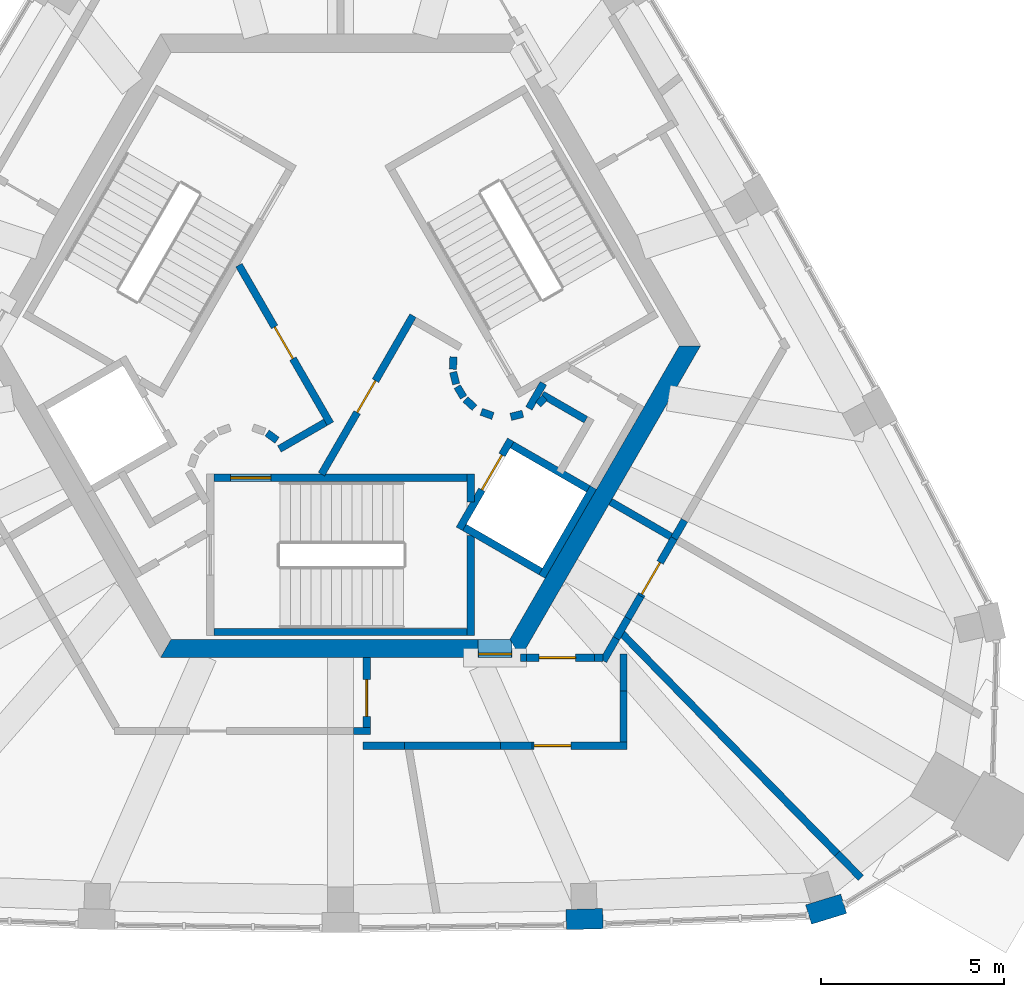
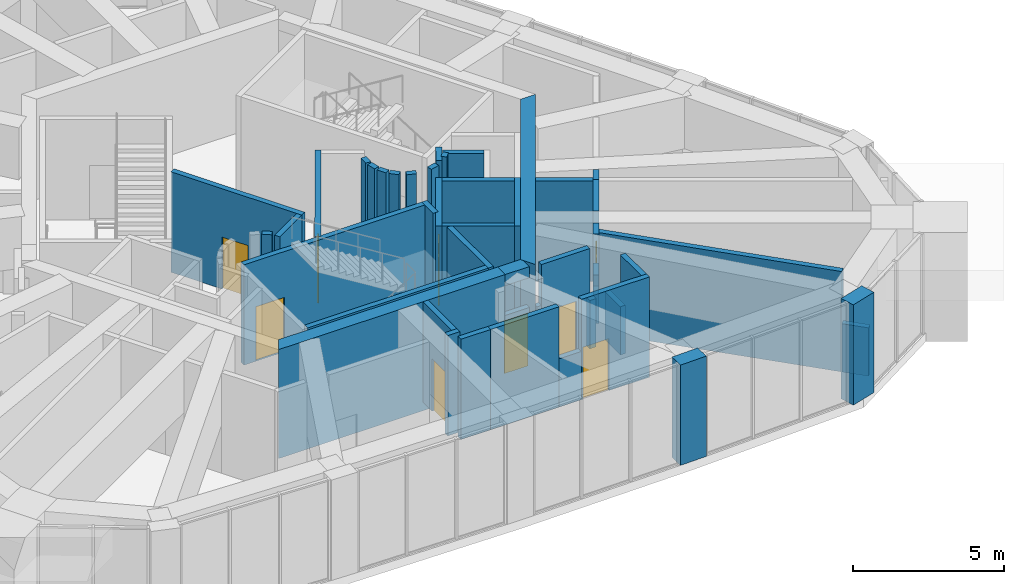
# One storey, part 8 of 11: 46 walls, 9 doors, 9 openings.
"""IFC4 building model written with IfcOpenShell, lengths in metres."""

from ifc_helpers import new_model, si_unit, direction, frame, frame_2d, origin, place, context, subcontext, project, spatial, polyline, rectangle, outline, extrude, material, layer, layer_set, type_object, element, fill, save


model = new_model("IFC4")

# Units and contexts
model_context = context("Model", 3, precision=1e-05, world=origin(), true_north=direction((0.0, 1.0)))
body_context = subcontext(model_context, "Body", "Model", "MODEL_VIEW")
ifc_project = project(units=[si_unit("LENGTHUNIT", "METRE"), si_unit("AREAUNIT", "SQUARE_METRE"), si_unit("VOLUMEUNIT", "CUBIC_METRE"), si_unit("PLANEANGLEUNIT", "RADIAN"), si_unit("MASSUNIT", "GRAM", prefix="KILO")], contexts=[model_context])

# Site, building, storey
site_placement = place(None, origin())
site = spatial("IfcSite", under=ifc_project, at=site_placement, CompositionType="ELEMENT")
building_placement = place(site_placement, origin())
building = spatial("IfcBuilding", under=site, at=building_placement, Name="Entoto Arch Interchange Tower", CompositionType="ELEMENT")
storey_placement = place(building_placement, frame((0.0, 0.0, 353.89990234375)))
storey = spatial("IfcBuildingStorey", under=building, at=storey_placement, Name="L83", CompositionType="ELEMENT", Elevation=353.89990234375)

# Wall, opening, door
ifc_material_1 = material(Name="Reinforced concrete C40/50", Category="concrete")
ifc_layer_1 = layer(ifc_material_1, 0.199951171875)
ifc_layer_set_1 = layer_set([ifc_layer_1], Name="Reinforced concrete C40/50")
wall_type_1 = type_object("IfcWallType", Name="CORE GAP INFILL WALL", PredefinedType="PARTITIONING", material=ifc_layer_set_1)
wall_1_placement = place(storey_placement, frame((3.75, -5.89990234375, 0.0), z_axis=(0.0, 0.0, 1.0), x_axis=(1.0, 0.0, 0.0)))
wall_1 = element("IfcWall", 1, at=wall_1_placement, inside=storey, type_object=wall_type_1, Name="wall:L83:gap1", PredefinedType="PARTITIONING", context=body_context, shape_type="SweptSolid", body=[
    extrude(rectangle(XDim=0.926025390625, YDim=0.199951171875, at=frame_2d((0.462890625, 0.0))), origin(), (0.0, 0.0, 1.0), 2.400146484375),
])
opening_1_placement = place(wall_1_placement, frame((0.01708984375, 0.0, 0.0)))
opening_1 = element("IfcOpeningElement", 2, at=opening_1_placement, cuts=wall_1, Name="Opening L83-D91", PredefinedType="OPENING", context=body_context, shape_type="SweptSolid", body=[
    extrude(rectangle(XDim=0.89990234375, YDim=2.10009765625, at=frame_2d((0.449951171875, 1.050048828125))), frame((0.0, 0.10986328125, 0.0), z_axis=(0.0, -1.0, 0.0), x_axis=(1.0, 0.0, 0.0)), (0.0, 0.0, 1.0), 0.219970703125),
])
ifc_material_2 = material(Name="Fire-rated Steel S235 door and frame", Category="steel")
door_type_1 = type_object("IfcDoorType", Name="DOOR FD-09 900x2100", OperationType="SINGLE_SWING_LEFT", PredefinedType="DOOR", material=ifc_material_2)
door_1_placement = place(opening_1_placement, origin())
door_1 = element("IfcDoor", 3, at=door_1_placement, inside=storey, type_object=door_type_1, Name="door:L83:gap1", OperationType="SINGLE_SWING_LEFT", OverallHeight=2.10009765625, OverallWidth=0.89990234375, PredefinedType="DOOR", context=body_context, shape_type="SweptSolid", body=[
    extrude(rectangle(XDim=0.89990234375, YDim=2.10009765625, at=frame_2d((0.449951171875, 1.050048828125))), frame((0.0, 0.02490234375, 0.0), z_axis=(0.0, -1.0, 0.0), x_axis=(1.0, 0.0, 0.0)), (0.0, 0.0, 1.0), 0.050048828125),
])
fill(opening_1, door_1)

# Walls
ifc_material_3 = material(Name="Concrete C40/50", Category="concrete")
ifc_layer_2 = layer(ifc_material_3, 0.5)
ifc_layer_set_2 = layer_set([ifc_layer_2], Name="Concrete C40/50")
wall_type_2 = type_object("IfcWallType", Name="Core wall 500 C40/50", PredefinedType="SHEAR", material=ifc_layer_set_2)
wall_2_placement = place(storey_placement, frame((0.0, 0.0, -0.349853515625)))
element("IfcWall", 4, at=wall_2_placement, inside=storey, type_object=wall_type_2, Name="Core wall S L83", PredefinedType="SHEAR", context=body_context, shape_type="SweptSolid", body=[
    extrude(outline(polyline([(3.75, -6.0), (3.75, -5.5), (-4.618896484375, -5.5), (-4.906982421875, -6.0), (3.75, -6.0)])), origin(), (0.0, 0.0, 1.0), 4.39990234375),
])
wall_3_placement = place(storey_placement, frame((0.0, 0.0, 3.60009765625)))
element("IfcWall", 5, at=wall_3_placement, inside=storey, type_object=wall_type_2, Name="Core wall lintel S L83", PredefinedType="SHEAR", context=body_context, shape_type="SweptSolid", body=[
    extrude(outline(polyline([(4.676025390625, -6.0), (4.676025390625, -5.60009765625), (4.618896484375, -5.5), (3.75, -5.5), (3.75, -6.0), (4.676025390625, -6.0)])), origin(), (0.0, 0.0, 1.0), 0.449951171875),
])
wall_4_placement = place(storey_placement, frame((0.0, 0.0, -0.349853515625)))
element("IfcWall", 6, at=wall_4_placement, inside=storey, type_object=wall_type_2, Name="Core wall SE L83", PredefinedType="SHEAR", context=body_context, shape_type="SweptSolid", body=[
    extrude(outline(polyline([(4.906982421875, -6.0), (9.81494140625, 2.5), (9.238037109375, 2.5), (4.618896484375, -5.5), (4.906982421875, -6.0)])), origin(), (0.0, 0.0, 1.0), 4.39990234375),
])

# Wall, opening, door
ifc_layer_3 = layer(ifc_material_3, 0.199951171875)
ifc_layer_set_3 = layer_set([ifc_layer_3], Name="Concrete C40/50")
wall_type_3 = type_object("IfcWallType", Name="LIFT SHAFT WALL 200", PredefinedType="STANDARD", material=ifc_layer_set_3)
wall_5_placement = place(storey_placement, frame((3.239990234375, -2.488037109375, 0.0), z_axis=(0.0, 0.0, 1.0), x_axis=(0.49994636267, 0.866056369097, 0.0)))
wall_5 = element("IfcWall", 7, at=wall_5_placement, inside=storey, type_object=wall_type_3, Name="Shaft wall SE1 front", PredefinedType="STANDARD", context=body_context, shape_type="SweptSolid", body=[
    extrude(rectangle(XDim=2.800048828125, YDim=0.199951171875, at=frame_2d((1.39990234375, 0.0))), origin(), (0.0, 0.0, 1.0), 4.050048828125),
])
opening_2_placement = place(wall_5_placement, frame((1.22509765625, 0.0, 0.0)))
opening_2 = element("IfcOpeningElement", 8, at=opening_2_placement, cuts=wall_5, Name="Opening LD-FF1-L83", PredefinedType="OPENING", context=body_context, shape_type="SweptSolid", body=[
    extrude(rectangle(XDim=1.10009765625, YDim=2.10009765625, at=frame_2d((0.550048828125, 1.050048828125))), frame((0.0, 0.10986328125, 0.0), z_axis=(0.0, -1.0, 0.0), x_axis=(1.0, 0.0, 0.0)), (0.0, 0.0, 1.0), 0.219970703125),
])
ifc_material_4 = material(Name="Stainless steel 1.4301 panels", Category="steel")
door_type_2 = type_object("IfcDoorType", Name="LIFT LANDING DOOR LD1 1100x2100", OperationType="SLIDING_TO_LEFT", PredefinedType="DOOR", material=ifc_material_4)
door_2_placement = place(opening_2_placement, origin())
door_2 = element("IfcDoor", 9, at=door_2_placement, inside=storey, type_object=door_type_2, Name="Lift landing door FF1 L83", OperationType="SLIDING_TO_LEFT", OverallHeight=2.10009765625, OverallWidth=1.10009765625, PredefinedType="DOOR", context=body_context, shape_type="SweptSolid", body=[
    extrude(rectangle(XDim=1.10009765625, YDim=2.10009765625, at=frame_2d((0.550048828125, 1.050048828125))), frame((0.0, 0.02490234375, 0.0), z_axis=(0.0, -1.0, 0.0), x_axis=(1.0, 0.0, 0.0)), (0.0, 0.0, 1.0), 0.050048828125),
])
fill(opening_2, door_2)

# Walls
wall_6_placement = place(storey_placement, frame((5.491943359375, -3.7880859375, 0.0), z_axis=(0.0, 0.0, 1.0), x_axis=(0.500011755427, 0.866018616679, 0.0)))
element("IfcWall", 10, at=wall_6_placement, inside=storey, type_object=wall_type_3, Name="Shaft wall SE1 back", PredefinedType="STANDARD", context=body_context, shape_type="SweptSolid", body=[
    extrude(rectangle(XDim=2.80029296875, YDim=0.199951171875, at=frame_2d((1.400146484375, 0.0))), origin(), (0.0, 0.0, 1.0), 4.050048828125),
])
wall_7_placement = place(storey_placement, frame((3.376953125, -2.451904296875, 0.0), z_axis=(0.0, 0.0, 1.0), x_axis=(0.865955154139, -0.50012165622, 0.0)))
element("IfcWall", 11, at=wall_7_placement, inside=storey, type_object=wall_type_3, Name="Shaft wall SE1 cross 1", PredefinedType="STANDARD", context=body_context, shape_type="SweptSolid", body=[
    extrude(rectangle(XDim=2.39990234375, YDim=0.199951171875, at=frame_2d((1.199951171875, 0.0))), origin(), (0.0, 0.0, 1.0), 4.050048828125),
])
wall_8_placement = place(storey_placement, frame((4.677001953125, -0.199951171875, 0.0), z_axis=(0.0, 0.0, 1.0), x_axis=(0.865973769406, -0.500089422704, 0.0)))
element("IfcWall", 12, at=wall_8_placement, inside=storey, type_object=wall_type_3, Name="Shaft wall SE1 cross 2", PredefinedType="STANDARD", context=body_context, shape_type="SweptSolid", body=[
    extrude(rectangle(XDim=2.3994140625, YDim=0.199951171875, at=frame_2d((1.19970703125, 0.0))), origin(), (0.0, 0.0, 1.0), 4.050048828125),
])
ifc_material_5 = material(Name="Gypsum board partition on steel studs", Category="steel")
ifc_layer_4 = layer(ifc_material_5, 0.199951171875)
ifc_layer_set_4 = layer_set([ifc_layer_4], Name="Gypsum board partition on steel studs")
wall_type_4 = type_object("IfcWallType", Name="PARTITION 200", PredefinedType="PARTITIONING", material=ifc_layer_set_4)
wall_9_placement = place(storey_placement, frame((5.389892578125, 0.89794921875, 0.0), z_axis=(0.0, 0.0, 1.0), x_axis=(0.673828488714, 0.738887791073, 0.0)))
element("IfcWall", 13, at=wall_9_placement, inside=storey, type_object=wall_type_4, Name="wall:L83:p001", PredefinedType="PARTITIONING", context=body_context, shape_type="SweptSolid", body=[
    extrude(rectangle(XDim=0.2626953125, YDim=0.199951171875, at=frame_2d((0.13134765625, 0.0))), origin(), (0.0, 0.0, 1.0), 4.050048828125),
])
wall_10_placement = place(storey_placement, frame((5.4990234375, 1.172119140625, 0.0), z_axis=(0.0, 0.0, 1.0), x_axis=(0.866333505267, -0.499465972466, 0.0)))
element("IfcWall", 14, at=wall_10_placement, inside=storey, type_object=wall_type_4, Name="wall:L83:p002", PredefinedType="PARTITIONING", context=body_context, shape_type="SweptSolid", body=[
    extrude(rectangle(XDim=1.37353515625, YDim=0.199951171875, at=frame_2d((0.686767578125, 0.0))), origin(), (0.0, 0.0, 1.0), 4.050048828125),
])
wall_11_placement = place(storey_placement, frame((5.135009765625, 0.79296875, 0.0), z_axis=(0.0, 0.0, 1.0), x_axis=(0.499526442893, 0.866298639529, 0.0)))
element("IfcWall", 15, at=wall_11_placement, inside=storey, type_object=wall_type_4, Name="wall:L83:p005", PredefinedType="PARTITIONING", context=body_context, shape_type="SweptSolid", body=[
    extrude(rectangle(XDim=0.790771484375, YDim=0.199951171875, at=frame_2d((0.3955078125, 0.0))), origin(), (0.0, 0.0, 1.0), 4.050048828125),
])
wall_12_placement = place(storey_placement, frame((3.0791015625, 2.198974609375, 0.0), z_axis=(0.0, 0.0, 1.0), x_axis=(-0.047771483479, -0.998858290933, 0.0)))
element("IfcWall", 16, at=wall_12_placement, inside=storey, type_object=wall_type_4, Name="wall:L83:p012", PredefinedType="PARTITIONING", context=body_context, shape_type="SweptSolid", body=[
    extrude(rectangle(XDim=0.33740234375, YDim=0.199951171875, at=frame_2d((0.168701171875, 0.0))), origin(), (0.0, 0.0, 1.0), 4.050048828125),
])
wall_13_placement = place(storey_placement, frame((3.070068359375, 1.785888671875, 0.0), z_axis=(0.0, 0.0, 1.0), x_axis=(0.242705583207, -0.970099994784, 0.0)))
element("IfcWall", 17, at=wall_13_placement, inside=storey, type_object=wall_type_4, Name="wall:L83:p013", PredefinedType="PARTITIONING", context=body_context, shape_type="SweptSolid", body=[
    extrude(rectangle(XDim=0.337890625, YDim=0.199951171875, at=frame_2d((0.1689453125, 0.0))), origin(), (0.0, 0.0, 1.0), 4.050048828125),
])
for number, where, z_axis, x_axis, name in (
    (18, (3.181884765625, 1.387939453125, 0.0), (0.0, 0.0, 1.0), (0.512474702713, -0.85870232274, 0.0), "wall:L83:p014"),
    (19, (3.404052734375, 1.0390625, 0.0), (0.0, 0.0, 1.0), (0.740267097712, -0.672312891476, 0.0), "wall:L83:p015"),
):
    element("IfcWall", number, at=place(storey_placement, frame(where, z_axis=z_axis, x_axis=x_axis)), inside=storey, type_object=wall_type_4, Name=name, PredefinedType="PARTITIONING", context=body_context, shape_type="SweptSolid", body=[
        extrude(rectangle(XDim=0.337646484375, YDim=0.199951171875, at=frame_2d((0.1689453125, 0.0))), origin(), (0.0, 0.0, 1.0), 4.050048828125),
    ])
wall_14_placement = place(storey_placement, frame((3.837890625, 0.701904296875, 0.0), z_axis=(0.0, 0.0, 1.0), x_axis=(0.941035081519, -0.338308993895, 0.0)))
element("IfcWall", 20, at=wall_14_placement, inside=storey, type_object=wall_type_4, Name="wall:L83:p016", PredefinedType="PARTITIONING", context=body_context, shape_type="SweptSolid", body=[
    extrude(rectangle(XDim=0.3369140625, YDim=0.199951171875, at=frame_2d((0.16845703125, 0.0))), origin(), (0.0, 0.0, 1.0), 4.050048828125),
])
wall_15_placement = place(storey_placement, frame((4.64404296875, 0.56396484375, 0.0), z_axis=(0.0, 0.0, 1.0), x_axis=(0.969929076366, 0.243387729394, 0.0)))
element("IfcWall", 21, at=wall_15_placement, inside=storey, type_object=wall_type_4, Name="wall:L83:p017", PredefinedType="PARTITIONING", context=body_context, shape_type="SweptSolid", body=[
    extrude(rectangle(XDim=0.337158203125, YDim=0.199951171875, at=frame_2d((0.16845703125, 0.0))), origin(), (0.0, 0.0, 1.0), 4.050048828125),
])

# Wall, opening, door
wall_16_placement = place(storey_placement, frame((-0.52001953125, -1.0, 0.0), z_axis=(0.0, 0.0, 1.0), x_axis=(0.50011622646, 0.865958290007, 0.0)))
wall_16 = element("IfcWall", 22, at=wall_16_placement, inside=storey, type_object=wall_type_4, Name="wall:L83:p018", PredefinedType="PARTITIONING", context=body_context, shape_type="SweptSolid", body=[
    extrude(rectangle(XDim=4.990966796875, YDim=0.199951171875, at=frame_2d((2.49560546875, 0.0))), origin(), (0.0, 0.0, 1.0), 4.050048828125),
])
opening_3_placement = place(wall_16_placement, frame((1.945068359375, 0.0, 0.0)))
opening_3 = element("IfcOpeningElement", 23, at=opening_3_placement, cuts=wall_16, Name="Opening L83-D16", PredefinedType="OPENING", context=body_context, shape_type="SweptSolid", body=[
    extrude(rectangle(XDim=1.0, YDim=2.10009765625, at=frame_2d((0.5, 1.050048828125))), frame((0.0, 0.10986328125, 0.0), z_axis=(0.0, -1.0, 0.0), x_axis=(1.0, 0.0, 0.0)), (0.0, 0.0, 1.0), 0.219970703125),
])
door_type_3 = type_object("IfcDoorType", Name="DOOR FD-10 1000x2100", OperationType="SINGLE_SWING_LEFT", PredefinedType="DOOR", material=ifc_material_2)
door_3_placement = place(opening_3_placement, origin())
door_3 = element("IfcDoor", 24, at=door_3_placement, inside=storey, type_object=door_type_3, Name="door:L83:16", OperationType="SINGLE_SWING_LEFT", OverallHeight=2.10009765625, OverallWidth=1.0, PredefinedType="DOOR", context=body_context, shape_type="SweptSolid", body=[
    extrude(rectangle(XDim=1.0, YDim=2.10009765625, at=frame_2d((0.5, 1.050048828125))), frame((0.0, 0.02490234375, 0.0), z_axis=(0.0, -1.0, 0.0), x_axis=(1.0, 0.0, 0.0)), (0.0, 0.0, 1.0), 0.050048828125),
])
fill(opening_3, door_3)

# Walls
wall_17_placement = place(storey_placement, frame((-0.412109375, 0.4140625, 0.0), z_axis=(0.0, 0.0, 1.0), x_axis=(-0.866017369001, -0.500013916395, 0.0)))
element("IfcWall", 25, at=wall_17_placement, inside=storey, type_object=wall_type_4, Name="wall:L83:p020", PredefinedType="PARTITIONING", context=body_context, shape_type="SweptSolid", body=[
    extrude(rectangle(XDim=1.4501953125, YDim=0.199951171875, at=frame_2d((0.72509765625, 0.0))), origin(), (0.0, 0.0, 1.0), 4.050048828125),
])
wall_18_placement = place(storey_placement, frame((-1.73095703125, -0.076904296875, 0.0), z_axis=(0.0, 0.0, 1.0), x_axis=(-0.804311165252, 0.594208338422, 0.0)))
element("IfcWall", 26, at=wall_18_placement, inside=storey, type_object=wall_type_4, Name="wall:L83:p021", PredefinedType="PARTITIONING", context=body_context, shape_type="SweptSolid", body=[
    extrude(rectangle(XDim=0.338134765625, YDim=0.199951171875, at=frame_2d((0.1689453125, 0.0))), origin(), (0.0, 0.0, 1.0), 4.050048828125),
])

# Wall, opening, door
wall_19_placement = place(storey_placement, frame((-2.77099609375, 4.699951171875, 0.0), z_axis=(0.0, 0.0, 1.0), x_axis=(0.499969479948, -0.866043023828, 0.0)))
wall_19 = element("IfcWall", 27, at=wall_19_placement, inside=storey, type_object=wall_type_4, Name="wall:L83:p027", PredefinedType="PARTITIONING", context=body_context, shape_type="SweptSolid", body=[
    extrude(rectangle(XDim=4.990478515625, YDim=0.199951171875, at=frame_2d((2.4951171875, 0.0))), origin(), (0.0, 0.0, 1.0), 4.050048828125),
])
opening_4_placement = place(wall_19_placement, frame((1.945068359375, 0.0, 0.0)))
opening_4 = element("IfcOpeningElement", 28, at=opening_4_placement, cuts=wall_19, Name="Opening L83-D17", PredefinedType="OPENING", context=body_context, shape_type="SweptSolid", body=[
    extrude(rectangle(XDim=1.0, YDim=2.10009765625, at=frame_2d((0.5, 1.050048828125))), frame((0.0, 0.10986328125, 0.0), z_axis=(0.0, -1.0, 0.0), x_axis=(1.0, 0.0, 0.0)), (0.0, 0.0, 1.0), 0.219970703125),
])
door_4_placement = place(opening_4_placement, origin())
door_4 = element("IfcDoor", 29, at=door_4_placement, inside=storey, type_object=door_type_3, Name="door:L83:17", OperationType="SINGLE_SWING_RIGHT", OverallHeight=2.10009765625, OverallWidth=1.0, PredefinedType="DOOR", context=body_context, shape_type="SweptSolid", body=[
    extrude(rectangle(XDim=1.0, YDim=2.10009765625, at=frame_2d((0.5, 1.050048828125))), frame((0.0, 0.02490234375, 0.0), z_axis=(0.0, -1.0, 0.0), x_axis=(1.0, 0.0, 0.0)), (0.0, 0.0, 1.0), 0.050048828125),
])
fill(opening_4, door_4)

wall_20_placement = place(storey_placement, frame((0.712890625, -7.89990234375, 0.0), z_axis=(0.0, 0.0, 1.0), x_axis=(0.0, 1.0, 0.0)))
wall_20 = element("IfcWall", 30, at=wall_20_placement, inside=storey, type_object=wall_type_4, Name="wall:L83:p028", PredefinedType="PARTITIONING", context=body_context, shape_type="SweptSolid", body=[
    extrude(rectangle(XDim=1.89990234375, YDim=0.199951171875, at=frame_2d((0.949951171875, 0.0))), origin(), (0.0, 0.0, 1.0), 4.050048828125),
])
opening_5_placement = place(wall_20_placement, frame((0.300048828125, 0.0, 0.0)))
opening_5 = element("IfcOpeningElement", 31, at=opening_5_placement, cuts=wall_20, Name="Opening L83-D01", PredefinedType="OPENING", context=body_context, shape_type="SweptSolid", body=[
    extrude(rectangle(XDim=1.0, YDim=2.10009765625, at=frame_2d((0.5, 1.050048828125))), frame((0.0, 0.10986328125, 0.0), z_axis=(0.0, -1.0, 0.0), x_axis=(1.0, 0.0, 0.0)), (0.0, 0.0, 1.0), 0.219970703125),
])
door_5_placement = place(opening_5_placement, origin())
door_5 = element("IfcDoor", 32, at=door_5_placement, inside=storey, type_object=door_type_3, Name="door:L83:01", OperationType="SINGLE_SWING_LEFT", OverallHeight=2.10009765625, OverallWidth=1.0, PredefinedType="DOOR", context=body_context, shape_type="SweptSolid", body=[
    extrude(rectangle(XDim=1.0, YDim=2.10009765625, at=frame_2d((0.5, 1.050048828125))), frame((0.0, 0.02490234375, 0.0), z_axis=(0.0, -1.0, 0.0), x_axis=(1.0, 0.0, 0.0)), (0.0, 0.0, 1.0), 0.050048828125),
])
fill(opening_5, door_5)

# Wall
wall_21_placement = place(storey_placement, frame((4.906982421875, -6.0, 0.0), z_axis=(0.0, 0.0, 1.0), x_axis=(1.0, 0.0, 0.0)))
element("IfcWall", 33, at=wall_21_placement, inside=storey, type_object=wall_type_4, Name="wall:L83:p029", PredefinedType="PARTITIONING", context=body_context, shape_type="SweptSolid", body=[
    extrude(rectangle(XDim=0.1689453125, YDim=0.199951171875, at=frame_2d((0.08447265625, 0.0))), origin(), (0.0, 0.0, 1.0), 2.400146484375),
])

# Wall, opening, door
wall_22_placement = place(storey_placement, frame((7.81298828125, -8.39990234375, 0.0), z_axis=(0.0, 0.0, 1.0), x_axis=(-1.0, 0.0, 0.0)))
wall_22 = element("IfcWall", 34, at=wall_22_placement, inside=storey, type_object=wall_type_4, Name="wall:L83:p030", PredefinedType="PARTITIONING", context=body_context, shape_type="SweptSolid", body=[
    extrude(rectangle(XDim=2.597900390625, YDim=0.199951171875, at=frame_2d((1.298828125, 0.0))), origin(), (0.0, 0.0, 1.0), 4.050048828125),
])
opening_6_placement = place(wall_22_placement, frame((1.535888671875, 0.0, 0.0)))
opening_6 = element("IfcOpeningElement", 35, at=opening_6_placement, cuts=wall_22, Name="Opening L83-D03", PredefinedType="OPENING", context=body_context, shape_type="SweptSolid", body=[
    extrude(rectangle(XDim=1.0, YDim=2.10009765625, at=frame_2d((0.5, 1.050048828125))), frame((0.0, 0.10986328125, 0.0), z_axis=(0.0, -1.0, 0.0), x_axis=(1.0, 0.0, 0.0)), (0.0, 0.0, 1.0), 0.219970703125),
])
door_6_placement = place(opening_6_placement, origin())
door_6 = element("IfcDoor", 36, at=door_6_placement, inside=storey, type_object=door_type_3, Name="door:L83:03", OperationType="SINGLE_SWING_LEFT", OverallHeight=2.10009765625, OverallWidth=1.0, PredefinedType="DOOR", context=body_context, shape_type="SweptSolid", body=[
    extrude(rectangle(XDim=1.0, YDim=2.10009765625, at=frame_2d((0.5, 1.050048828125))), frame((0.0, 0.02490234375, 0.0), z_axis=(0.0, -1.0, 0.0), x_axis=(1.0, 0.0, 0.0)), (0.0, 0.0, 1.0), 0.050048828125),
])
fill(opening_6, door_6)

# Walls
wall_23_placement = place(storey_placement, frame((7.712890625, -5.89990234375, 0.0), z_axis=(0.0, 0.0, 1.0), x_axis=(0.0, -1.0, 0.0)))
element("IfcWall", 37, at=wall_23_placement, inside=storey, type_object=wall_type_4, Name="wall:L83:p031", PredefinedType="PARTITIONING", context=body_context, shape_type="SweptSolid", body=[
    extrude(rectangle(XDim=1.01708984375, YDim=0.199951171875, at=frame_2d((0.508544921875, 0.0))), origin(), (0.0, 0.0, 1.0), 1.9501953125),
])
wall_24_placement = place(storey_placement, frame((1.7470703125, -8.39990234375, 0.0), z_axis=(0.0, 0.0, 1.0), x_axis=(-1.0, 0.0, 0.0)))
element("IfcWall", 38, at=wall_24_placement, inside=storey, type_object=wall_type_4, Name="wall:L83:p032", PredefinedType="PARTITIONING", context=body_context, shape_type="SweptSolid", body=[
    extrude(rectangle(XDim=1.134033203125, YDim=0.199951171875, at=frame_2d((0.56689453125, 0.0))), origin(), (0.0, 0.0, 1.0), 4.050048828125),
])
wall_25_placement = place(storey_placement, frame((0.81298828125, -8.0, 0.0), z_axis=(0.0, 0.0, 1.0), x_axis=(-1.0, 0.0, 0.0)))
element("IfcWall", 39, at=wall_25_placement, inside=storey, type_object=wall_type_4, Name="wall:L83:p033", PredefinedType="PARTITIONING", context=body_context, shape_type="SweptSolid", body=[
    extrude(rectangle(XDim=0.462890625, YDim=0.199951171875, at=frame_2d((0.2314453125, 0.0))), origin(), (0.0, 0.0, 1.0), 4.050048828125),
])

# Wall, opening, door
wall_26_placement = place(storey_placement, frame((9.093017578125, -2.75, 0.0), z_axis=(0.0, 0.0, 1.0), x_axis=(-0.500145398563, -0.865941441609, 0.0)))
wall_26 = element("IfcWall", 40, at=wall_26_placement, inside=storey, type_object=wall_type_4, Name="wall:L83:p036", PredefinedType="PARTITIONING", context=body_context, shape_type="SweptSolid", body=[
    extrude(rectangle(XDim=1.8154296875, YDim=0.199951171875, at=frame_2d((0.90771484375, 0.0))), origin(), (0.0, 0.0, 1.0), 4.050048828125),
])
opening_7_placement = place(wall_26_placement, frame((0.759033203125, 0.0, 0.0)))
opening_7 = element("IfcOpeningElement", 41, at=opening_7_placement, cuts=wall_26, Name="Opening L83-D05", PredefinedType="OPENING", context=body_context, shape_type="SweptSolid", body=[
    extrude(rectangle(XDim=1.0, YDim=2.10009765625, at=frame_2d((0.5, 1.050048828125))), frame((0.0, 0.10986328125, 0.0), z_axis=(0.0, -1.0, 0.0), x_axis=(1.0, 0.0, 0.0)), (0.0, 0.0, 1.0), 0.219970703125),
])
door_7_placement = place(opening_7_placement, origin())
door_7 = element("IfcDoor", 42, at=door_7_placement, inside=storey, type_object=door_type_3, Name="door:L83:05", OperationType="SINGLE_SWING_LEFT", OverallHeight=2.10009765625, OverallWidth=1.0, PredefinedType="DOOR", context=body_context, shape_type="SweptSolid", body=[
    extrude(rectangle(XDim=1.0, YDim=2.10009765625, at=frame_2d((0.5, 1.050048828125))), frame((0.0, 0.02490234375, 0.0), z_axis=(0.0, -1.0, 0.0), x_axis=(1.0, 0.0, 0.0)), (0.0, 0.0, 1.0), 0.050048828125),
])
fill(opening_7, door_7)

# Walls
wall_27_placement = place(storey_placement, frame((7.361083984375, -1.75, 0.0), z_axis=(0.0, 0.0, 1.0), x_axis=(0.865980106173, -0.500078449558, 0.0)))
element("IfcWall", 43, at=wall_27_placement, inside=storey, type_object=wall_type_4, Name="wall:L83:p037", PredefinedType="PARTITIONING", context=body_context, shape_type="SweptSolid", body=[
    extrude(rectangle(XDim=1.899658203125, YDim=0.199951171875, at=frame_2d((0.94970703125, 0.0))), origin(), (0.0, 0.0, 1.0), 4.050048828125),
])
wall_28_placement = place(storey_placement, frame((7.6240234375, -5.294921875, 0.0), z_axis=(0.0, 0.0, 1.0), x_axis=(0.699204125851, -0.714922086938, 0.0)))
element("IfcWall", 44, at=wall_28_placement, inside=storey, type_object=wall_type_4, Name="wall:L83:p039", PredefinedType="PARTITIONING", context=body_context, shape_type="SweptSolid", body=[
    extrude(rectangle(XDim=8.46533203125, YDim=0.199951171875, at=frame_2d((4.232666015625, 0.0))), origin(), (0.0, 0.0, 1.0), 4.050048828125),
])

# Wall, opening, door
wall_29_placement = place(storey_placement, frame((5.075927734375, -6.0, 0.0), z_axis=(0.0, 0.0, 1.0), x_axis=(1.0, 0.0, 0.0)))
wall_29 = element("IfcWall", 45, at=wall_29_placement, inside=storey, type_object=wall_type_4, Name="wall:L83:p029", PredefinedType="PARTITIONING", context=body_context, shape_type="SweptSolid", body=[
    extrude(rectangle(XDim=1.843017578125, YDim=0.199951171875, at=frame_2d((0.92138671875, 0.0))), origin(), (0.0, 0.0, 1.0), 4.050048828125),
])
opening_8_placement = place(wall_29_placement, frame((0.3359375, 0.0, 0.0)))
opening_8 = element("IfcOpeningElement", 46, at=opening_8_placement, cuts=wall_29, Name="Opening L83-D02", PredefinedType="OPENING", context=body_context, shape_type="SweptSolid", body=[
    extrude(rectangle(XDim=1.0, YDim=2.10009765625, at=frame_2d((0.5, 1.050048828125))), frame((0.0, 0.10986328125, 0.0), z_axis=(0.0, -1.0, 0.0), x_axis=(1.0, 0.0, 0.0)), (0.0, 0.0, 1.0), 0.219970703125),
])
door_8_placement = place(opening_8_placement, origin())
door_8 = element("IfcDoor", 47, at=door_8_placement, inside=storey, type_object=door_type_3, Name="door:L83:02", OperationType="SINGLE_SWING_RIGHT", OverallHeight=2.10009765625, OverallWidth=1.0, PredefinedType="DOOR", context=body_context, shape_type="SweptSolid", body=[
    extrude(rectangle(XDim=1.0, YDim=2.10009765625, at=frame_2d((0.5, 1.050048828125))), frame((0.0, 0.02490234375, 0.0), z_axis=(0.0, -1.0, 0.0), x_axis=(1.0, 0.0, 0.0)), (0.0, 0.0, 1.0), 0.050048828125),
])
fill(opening_8, door_8)

# Walls
wall_30_placement = place(storey_placement, frame((6.9189453125, -6.0, 0.0), z_axis=(0.0, 0.0, 1.0), x_axis=(1.0, 0.0, 0.0)))
element("IfcWall", 48, at=wall_30_placement, inside=storey, type_object=wall_type_4, Name="wall:L83:p029", PredefinedType="PARTITIONING", context=body_context, shape_type="SweptSolid", body=[
    extrude(rectangle(XDim=0.241943359375, YDim=0.199951171875, at=frame_2d((0.12109375, 0.0))), origin(), (0.0, 0.0, 1.0), 1.9501953125),
])
wall_31_placement = place(storey_placement, frame((5.215087890625, -8.39990234375, 0.0), z_axis=(0.0, 0.0, 1.0), x_axis=(-1.0, 0.0, 0.0)))
element("IfcWall", 49, at=wall_31_placement, inside=storey, type_object=wall_type_4, Name="wall:L83:p030", PredefinedType="PARTITIONING", context=body_context, shape_type="SweptSolid", body=[
    extrude(rectangle(XDim=0.85302734375, YDim=0.199951171875, at=frame_2d((0.426513671875, 0.0))), origin(), (0.0, 0.0, 1.0), 1.9501953125),
])
wall_32_placement = place(storey_placement, frame((4.362060546875, -8.39990234375, 0.0), z_axis=(0.0, 0.0, 1.0), x_axis=(-1.0, 0.0, 0.0)))
element("IfcWall", 50, at=wall_32_placement, inside=storey, type_object=wall_type_4, Name="wall:L83:p030", PredefinedType="PARTITIONING", context=body_context, shape_type="SweptSolid", body=[
    extrude(rectangle(XDim=2.614990234375, YDim=0.199951171875, at=frame_2d((1.3076171875, 0.0))), origin(), (0.0, 0.0, 1.0), 4.050048828125),
])
wall_33_placement = place(storey_placement, frame((7.712890625, -6.9169921875, 0.0), z_axis=(0.0, 0.0, 1.0), x_axis=(0.0, -1.0, 0.0)))
element("IfcWall", 51, at=wall_33_placement, inside=storey, type_object=wall_type_4, Name="wall:L83:p031", PredefinedType="PARTITIONING", context=body_context, shape_type="SweptSolid", body=[
    extrude(rectangle(XDim=1.383056640625, YDim=0.199951171875, at=frame_2d((0.69140625, 0.0))), origin(), (0.0, 0.0, 1.0), 4.050048828125),
])
wall_34_placement = place(storey_placement, frame((8.18505859375, -4.322021484375, 0.0), z_axis=(0.0, 0.0, 1.0), x_axis=(-0.500265973451, -0.865871789474, 0.0)))
element("IfcWall", 52, at=wall_34_placement, inside=storey, type_object=wall_type_4, Name="wall:L83:p036", PredefinedType="PARTITIONING", context=body_context, shape_type="SweptSolid", body=[
    extrude(rectangle(XDim=0.69970703125, YDim=0.199951171875, at=frame_2d((0.349853515625, 0.0))), origin(), (0.0, 0.0, 1.0), 1.9501953125),
])
wall_35_placement = place(storey_placement, frame((7.8349609375, -4.927978515625, 0.0), z_axis=(0.0, 0.0, 1.0), x_axis=(-0.500045805297, -0.865998956469, 0.0)))
element("IfcWall", 53, at=wall_35_placement, inside=storey, type_object=wall_type_4, Name="wall:L83:p036", PredefinedType="PARTITIONING", context=body_context, shape_type="SweptSolid", body=[
    extrude(rectangle(XDim=0.6318359375, YDim=0.199951171875, at=frame_2d((0.31591796875, 0.0))), origin(), (0.0, 0.0, 1.0), 4.050048828125),
])
wall_36_placement = place(storey_placement, frame((7.51904296875, -5.47509765625, 0.0), z_axis=(0.0, 0.0, 1.0), x_axis=(-0.499782295163, -0.866151059251, 0.0)))
element("IfcWall", 54, at=wall_36_placement, inside=storey, type_object=wall_type_4, Name="wall:L83:p036", PredefinedType="PARTITIONING", context=body_context, shape_type="SweptSolid", body=[
    extrude(rectangle(XDim=0.706298828125, YDim=0.199951171875, at=frame_2d((0.35302734375, 0.0))), origin(), (0.0, 0.0, 1.0), 1.9501953125),
])
wall_37_placement = place(storey_placement, frame((13.54296875, -11.346923828125, 0.0), z_axis=(0.0, 0.0, 1.0), x_axis=(0.699486169187, -0.714646135592, 0.0)))
element("IfcWall", 55, at=wall_37_placement, inside=storey, type_object=wall_type_4, Name="wall:L83:p039", PredefinedType="PARTITIONING", context=body_context, shape_type="SweptSolid", body=[
    extrude(rectangle(XDim=0.91796875, YDim=0.199951171875, at=frame_2d((0.458984375, 0.0))), origin(), (0.0, 0.0, 1.0), 1.9501953125),
])
wall_38_placement = place(storey_placement, frame((9.3779296875, -2.257080078125, 0.0), z_axis=(0.0, 0.0, 1.0), x_axis=(-0.500427620203, -0.86577837634, 0.0)))
element("IfcWall", 56, at=wall_38_placement, inside=storey, type_object=wall_type_4, Name="wall:L83:p048", PredefinedType="PARTITIONING", context=body_context, shape_type="SweptSolid", body=[
    extrude(rectangle(XDim=0.5693359375, YDim=0.199951171875, at=frame_2d((0.28466796875, 0.0))), origin(), (0.0, 0.0, 1.0), 4.050048828125),
])
ifc_layer_5 = layer(ifc_material_3, 0.199951171875)
ifc_layer_set_5 = layer_set([ifc_layer_5], Name="Concrete C40/50")
wall_type_5 = type_object("IfcWallType", Name="STAIR ENCLOSURE WALL 200", PredefinedType="STANDARD", material=ifc_layer_set_5)
wall_39_placement = place(storey_placement, frame((3.550048828125, -2.6669921875, 0.0), z_axis=(0.0, 0.0, 1.0), x_axis=(0.0, -1.0, 0.0)))
element("IfcWall", 57, at=wall_39_placement, inside=storey, type_object=wall_type_5, Name="Stair wall ST-S far", PredefinedType="STANDARD", context=body_context, shape_type="SweptSolid", body=[
    extrude(rectangle(XDim=2.73291015625, YDim=0.199951171875, at=frame_2d((1.366455078125, 0.0))), origin(), (0.0, 0.0, 1.0), 4.050048828125),
])
wall_40_placement = place(storey_placement, frame((3.550048828125, -1.0, 0.0), z_axis=(0.0, 0.0, 1.0), x_axis=(0.0, -1.0, 0.0)))
element("IfcWall", 58, at=wall_40_placement, inside=storey, type_object=wall_type_5, Name="Stair wall ST-S far return", PredefinedType="STANDARD", context=body_context, shape_type="SweptSolid", body=[
    extrude(rectangle(XDim=0.7509765625, YDim=0.199951171875, at=frame_2d((0.37548828125, 0.0))), origin(), (0.0, 0.0, 1.0), 4.050048828125),
])

# Wall, opening, door
wall_41_placement = place(storey_placement, frame((-3.449951171875, -1.10009765625, 0.0), z_axis=(0.0, 0.0, 1.0), x_axis=(1.0, 0.0, 0.0)))
wall_41 = element("IfcWall", 59, at=wall_41_placement, inside=storey, type_object=wall_type_5, Name="Stair wall ST-S hall", PredefinedType="STANDARD", context=body_context, shape_type="SweptSolid", body=[
    extrude(rectangle(XDim=6.89990234375, YDim=0.199951171875, at=frame_2d((3.449951171875, 0.0))), origin(), (0.0, 0.0, 1.0), 4.050048828125),
])
opening_9_placement = place(wall_41_placement, frame((0.449951171875, 0.0, 0.0)))
opening_9 = element("IfcOpeningElement", 60, at=opening_9_placement, cuts=wall_41, Name="Opening SD-ST-S-L83", PredefinedType="OPENING", context=body_context, shape_type="SweptSolid", body=[
    extrude(rectangle(XDim=1.10009765625, YDim=2.199951171875, at=frame_2d((0.550048828125, 1.10009765625))), frame((0.0, 0.10986328125, 0.0), z_axis=(0.0, -1.0, 0.0), x_axis=(1.0, 0.0, 0.0)), (0.0, 0.0, 1.0), 0.219970703125),
])
ifc_material_6 = material(Name="Steel S235", Category="steel")
door_type_4 = type_object("IfcDoorType", Name="STAIR DOOR SD1 1100x2200", OperationType="SINGLE_SWING_LEFT", PredefinedType="DOOR", material=ifc_material_6)
door_9_placement = place(opening_9_placement, origin())
door_9 = element("IfcDoor", 61, at=door_9_placement, inside=storey, type_object=door_type_4, Name="Stair door ST-S L83", OperationType="SINGLE_SWING_LEFT", OverallHeight=2.199951171875, OverallWidth=1.10009765625, PredefinedType="DOOR", context=body_context, shape_type="SweptSolid", body=[
    extrude(rectangle(XDim=1.10009765625, YDim=2.199951171875, at=frame_2d((0.550048828125, 1.10009765625))), frame((0.0, 0.02490234375, 0.0), z_axis=(0.0, -1.0, 0.0), x_axis=(1.0, 0.0, 0.0)), (0.0, 0.0, 1.0), 0.050048828125),
])
fill(opening_9, door_9)

# Walls
wall_42_placement = place(storey_placement, frame((-3.449951171875, -5.300048828125, 0.0), z_axis=(0.0, 0.0, 1.0), x_axis=(1.0, 0.0, 0.0)))
element("IfcWall", 62, at=wall_42_placement, inside=storey, type_object=wall_type_5, Name="Stair wall ST-S back", PredefinedType="STANDARD", context=body_context, shape_type="SweptSolid", body=[
    extrude(rectangle(XDim=6.89990234375, YDim=0.199951171875, at=frame_2d((3.449951171875, 0.0))), origin(), (0.0, 0.0, 1.0), 4.050048828125),
])
ifc_material_7 = material(Name="Welded tuff (ignimbrite) cladding, warm buff", Category="masonry")
ifc_layer_6 = layer(ifc_material_7, 0.550048828125)
ifc_layer_set_6 = layer_set([ifc_layer_6], Name="Welded tuff (ignimbrite) cladding, warm buff")
wall_type_6 = type_object("IfcWallType", Name="STONE PIER CLADDING 550", PredefinedType="STANDARD", material=ifc_layer_set_6)
wall_43_placement = place(storey_placement, frame((6.152099609375, -13.14501953125, 0.0), z_axis=(0.0, 0.0, 1.0), x_axis=(0.999606097148, 0.028065112591, 0.0)))
element("IfcWall", 63, at=wall_43_placement, inside=storey, type_object=wall_type_6, Name="Stone pier S04 L83", PredefinedType="STANDARD", context=body_context, shape_type="SweptSolid", body=[
    extrude(rectangle(XDim=1.00048828125, YDim=0.550048828125, at=frame_2d((0.500244140625, 0.0))), origin(), (0.0, 0.0, 1.0), 4.050048828125),
])
wall_44_placement = place(storey_placement, frame((12.760986328125, -13.006103515625, 0.0), z_axis=(0.0, 0.0, 1.0), x_axis=(0.95613166039, 0.292937276563, 0.0)))
element("IfcWall", 64, at=wall_44_placement, inside=storey, type_object=wall_type_6, Name="Stone pier S05 L83", PredefinedType="STANDARD", context=body_context, shape_type="SweptSolid", body=[
    extrude(rectangle(XDim=1.0009765625, YDim=0.550048828125, at=frame_2d((0.50048828125, 0.0))), origin(), (0.0, 0.0, 1.0), 4.050048828125),
])

save(model, "model.ifc")
